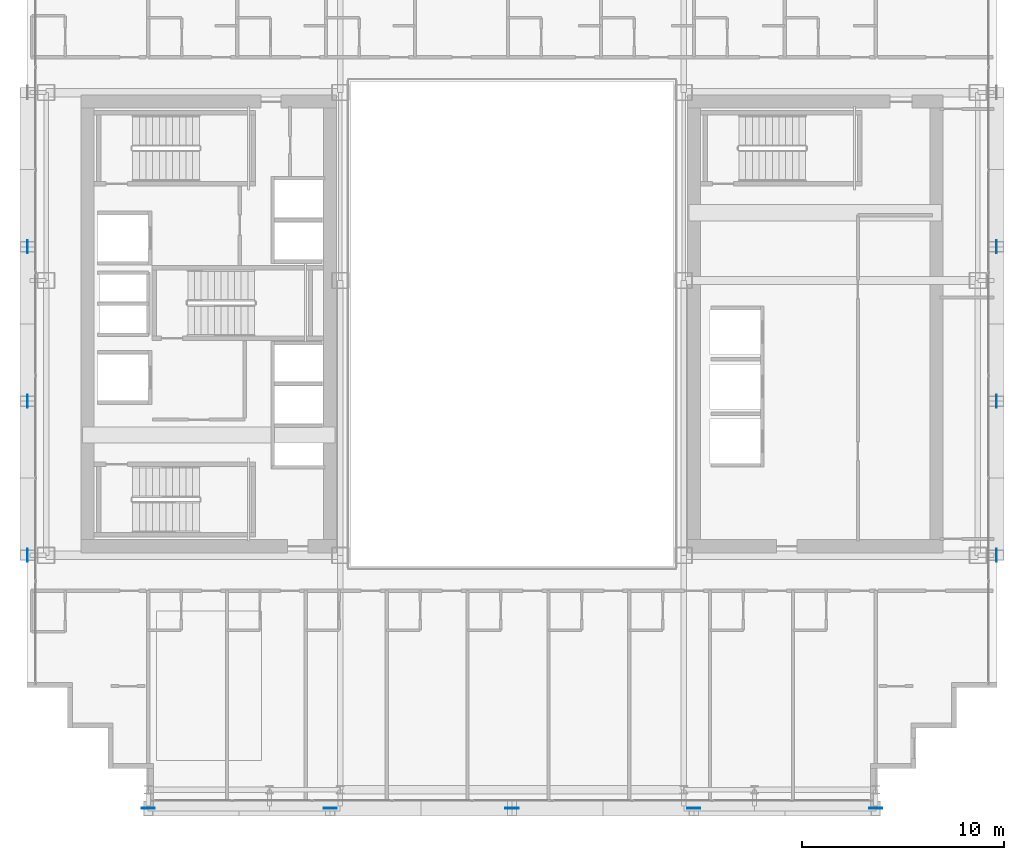
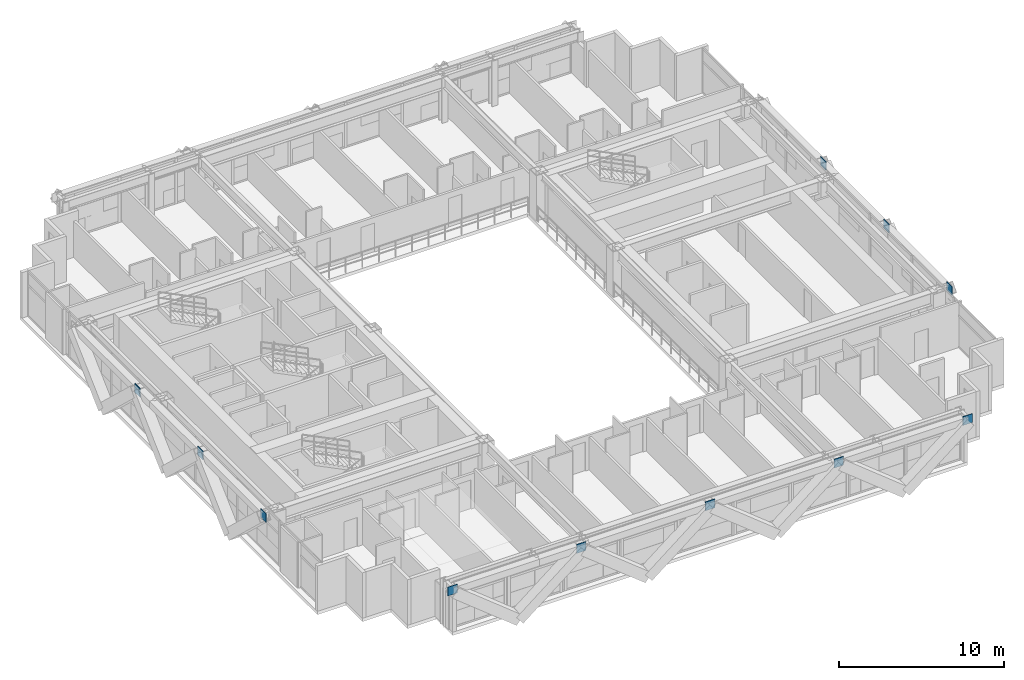
# One storey, part 25 of 36: 11 plates.
"""IFC4 building model written with IfcOpenShell, lengths in metres."""

from ifc_helpers import new_model, si_unit, direction, frame, origin, origin_2d, place, context, subcontext, project, spatial, rectangle, extrude, source, transform, mapped, material, layer, layer_set, type_object, element, save


model = new_model("IFC4")

# Units and contexts
model_context = context("Model", 3, precision=1e-05, world=origin(), true_north=direction((0.0, 1.0)))
body_context = subcontext(model_context, "Body", "Model", "MODEL_VIEW")
ifc_project = project(units=[si_unit("LENGTHUNIT", "METRE"), si_unit("AREAUNIT", "SQUARE_METRE"), si_unit("VOLUMEUNIT", "CUBIC_METRE"), si_unit("PLANEANGLEUNIT", "RADIAN"), si_unit("MASSUNIT", "GRAM", prefix="KILO")], contexts=[model_context])

# Site, building, storey
site_placement = place(None, origin())
site = spatial("IfcSite", under=ifc_project, at=site_placement, CompositionType="ELEMENT")
building_placement = place(site_placement, origin())
building = spatial("IfcBuilding", under=site, at=building_placement, Name="Ocotamira Hotel", CompositionType="ELEMENT")
storey_placement = place(building_placement, frame((0.0, 0.0, 129.60009765625)))
storey = spatial("IfcBuildingStorey", under=building, at=storey_placement, Name="L32", CompositionType="ELEMENT", Elevation=129.60009765625)

# Plates
ifc_material = material(Name="Pale-metal coated steel ASTM A572 Grade 50", Category="steel")
ifc_layer = layer(ifc_material, 0.0400390625)
ifc_layer_set = layer_set([ifc_layer], Name="Pale-metal coated steel ASTM A572 Grade 50")
plate_type = type_object("IfcPlateType", Name="PLT-GUSSET-40", PredefinedType="SHEET", material=ifc_layer_set)
shared_shape_1 = source(origin(), body_context, "Body", "SweptSolid", [
    extrude(rectangle(XDim=0.64990234375, YDim=0.0400390625, at=origin_2d()), origin(), (0.0, 0.0, 1.0), 0.64990234375),
])
for number, where, z_axis, x_axis, name in (
    (1, (14.0, 2.030029296875, 2.784912109375), (0.0, 0.0, 1.0), (-1.0, 0.0, 0.0), "L32 Exoskeleton Diagrid S0.1 End Gusset B"),
    (2, (23.0, 2.030029296875, 2.784912109375), (0.0, 0.0, 1.0), (1.0, 0.0, 0.0), "L32 Exoskeleton Diagrid S0.2 End Gusset B"),
    (3, (32.0, 2.030029296875, 2.784912109375), (0.0, 0.0, 1.0), (1.0, 0.0, 0.0), "L32 Exoskeleton Diagrid S1.2 End Gusset B"),
    (4, (41.0, 2.030029296875, 2.784912109375), (0.0, 0.0, 1.0), (1.0, 0.0, 0.0), "L32 Exoskeleton Diagrid S2.2 End Gusset B"),
    (5, (50.0, 2.030029296875, 2.784912109375), (0.0, 0.0, 1.0), (1.0, 0.0, 0.0), "L32 Exoskeleton Diagrid S3.2 End Gusset B"),
):
    element("IfcPlate", number, at=place(storey_placement, frame(where, z_axis=z_axis, x_axis=x_axis)), inside=storey, type_object=plate_type, Name=name, PredefinedType="SHEET", context=body_context, shape_type="MappedRepresentation", body=[
        mapped(shared_shape_1, transform((0.0, 0.0, 0.0), scale=1.0)),
    ])
shared_shape_2 = source(origin(), body_context, "Body", "SweptSolid", [
    extrude(rectangle(XDim=0.0400390625, YDim=0.64990234375, at=origin_2d()), origin(), (0.0, 0.0, 1.0), 0.64990234375),
])
for number, where, z_axis, x_axis, name in (
    (6, (8.030029296875, 14.550048828125, 2.784912109375), (0.0, 0.0, 1.0), (1.0, 0.0, 0.0), "L32 Exoskeleton Diagrid W0.1 End Gusset B"),
    (7, (8.030029296875, 22.183349609375, 2.784912109375), (0.0, 0.0, 1.0), (1.0, 0.0, 0.0), "L32 Exoskeleton Diagrid W0.2 End Gusset B"),
    (8, (8.030029296875, 29.816650390625, 2.784912109375), (0.0, 0.0, 1.0), (1.0, 0.0, 0.0), "L32 Exoskeleton Diagrid W1.2 End Gusset B"),
    (9, (55.969970703125, 14.550048828125, 2.784912109375), (0.0, 0.0, 1.0), (1.0, 0.0, 0.0), "L32 Exoskeleton Diagrid E0.1 End Gusset B"),
    (10, (55.969970703125, 22.183349609375, 2.784912109375), (0.0, 0.0, 1.0), (1.0, 0.0, 0.0), "L32 Exoskeleton Diagrid E0.2 End Gusset B"),
    (11, (55.969970703125, 29.816650390625, 2.784912109375), (0.0, 0.0, 1.0), (1.0, 0.0, 0.0), "L32 Exoskeleton Diagrid E1.2 End Gusset B"),
):
    element("IfcPlate", number, at=place(storey_placement, frame(where, z_axis=z_axis, x_axis=x_axis)), inside=storey, type_object=plate_type, Name=name, PredefinedType="SHEET", context=body_context, shape_type="MappedRepresentation", body=[
        mapped(shared_shape_2, transform((0.0, 0.0, 0.0), scale=1.0)),
    ])

save(model, "model.ifc")
